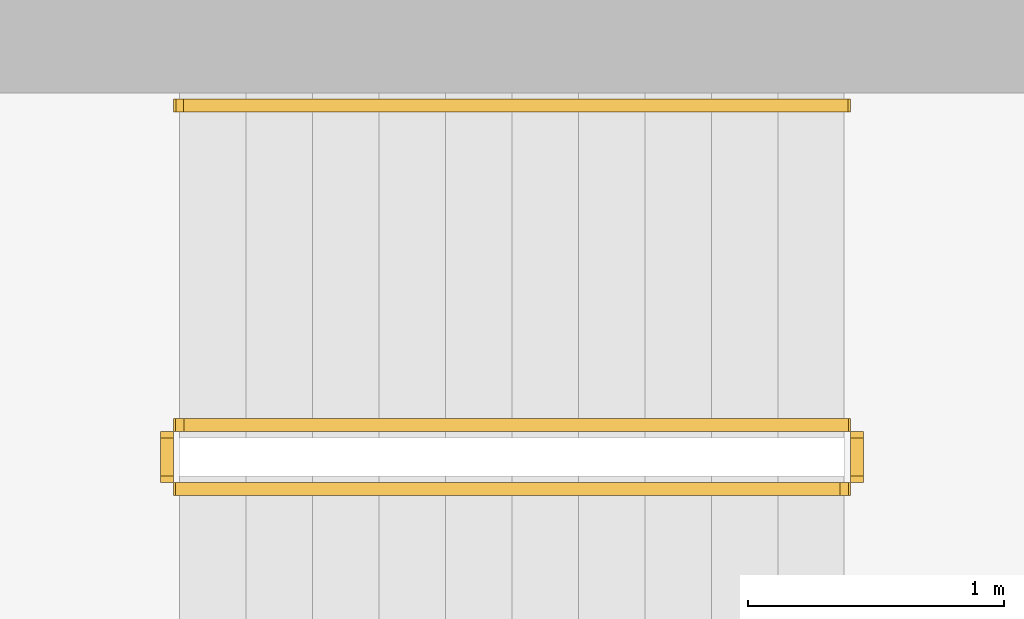
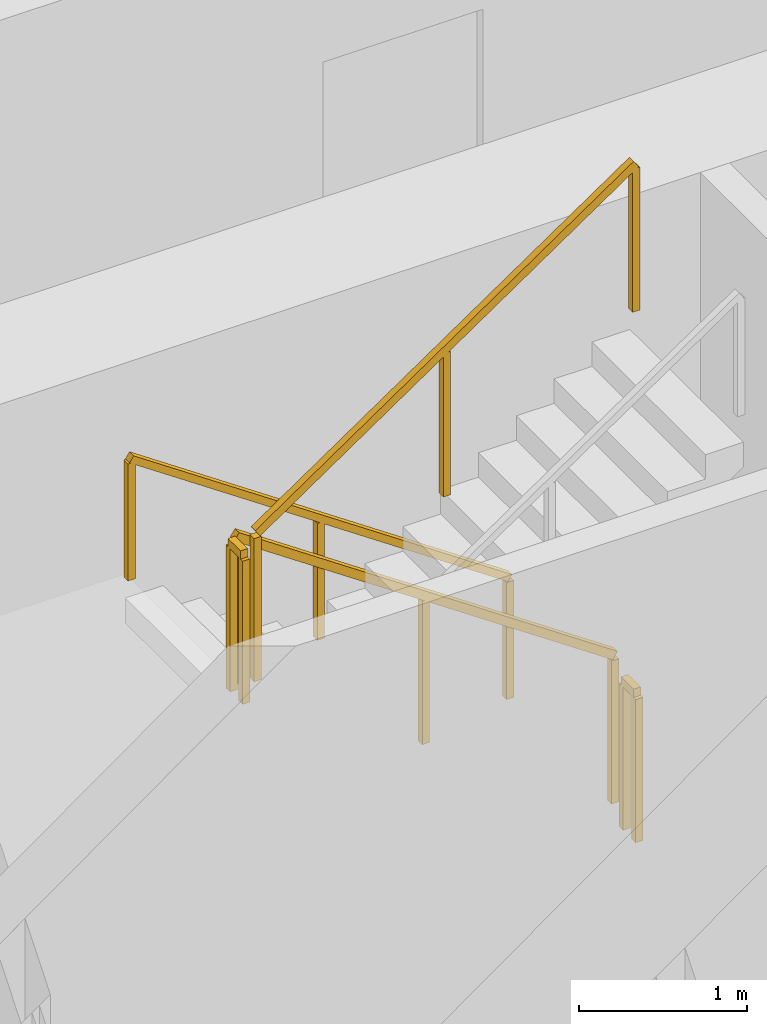
# One storey, part 15 of 16: 5 railings.
"""IFC4 building model written with IfcOpenShell, lengths in metres."""

from ifc_helpers import new_model, si_unit, direction, frame, origin, origin_2d, place, context, subcontext, project, spatial, rectangle, extrude, material, type_object, element, save


model = new_model("IFC4")

# Units and contexts
model_context = context("Model", 3, precision=1e-05, world=origin(), true_north=direction((0.0, 1.0)))
body_context = subcontext(model_context, "Body", "Model", "MODEL_VIEW")
ifc_project = project(units=[si_unit("LENGTHUNIT", "METRE"), si_unit("AREAUNIT", "SQUARE_METRE"), si_unit("VOLUMEUNIT", "CUBIC_METRE"), si_unit("PLANEANGLEUNIT", "RADIAN"), si_unit("MASSUNIT", "GRAM", prefix="KILO")], contexts=[model_context])

# Site, building, storey
site_placement = place(None, origin())
site = spatial("IfcSite", under=ifc_project, at=site_placement, CompositionType="ELEMENT")
building_placement = place(site_placement, origin())
building = spatial("IfcBuilding", under=site, at=building_placement, Name="Khepri Terraces", CompositionType="ELEMENT")
storey_placement = place(building_placement, frame((0.0, 0.0, 79.199951171875)))
storey = spatial("IfcBuildingStorey", under=building, at=storey_placement, Name="L18", CompositionType="ELEMENT", Elevation=79.199951171875)

# Railings
ifc_material = material(Name="Stainless steel 316", Category="steel")
railing_type_1 = type_object("IfcRailingType", Name="RL-CORE-GUARD", PredefinedType="GUARDRAIL", material=ifc_material)
railing_1_placement = place(storey_placement, frame((-0.25, 8.800048828125, 0.17724609375)))
element("IfcRailing", 1, at=railing_1_placement, inside=storey, type_object=railing_type_1, Name="L18 ST-3 stair guard 1", PredefinedType="GUARDRAIL", context=body_context, shape_type="SweptSolid", body=[
    extrude(rectangle(XDim=0.050048828125, YDim=0.06005859375, at=origin_2d()), frame((0.0, 0.0, 1.070068359375), z_axis=(-0.826240473404, 0.0, 0.563317565952), x_axis=(0.0, -1.0, 0.0)), (0.0, 0.0, 1.0), 3.14697265625),
    extrude(rectangle(XDim=0.050048828125, YDim=0.050048828125, at=origin_2d()), origin(), (0.0, 0.0, 1.0), 1.0400390625),
    extrude(rectangle(XDim=0.050048828125, YDim=0.050048828125, at=origin_2d()), frame((-1.300048828125, 0.0, 0.88623046875)), (0.0, 0.0, 1.0), 1.0400390625),
    extrude(rectangle(XDim=0.050048828125, YDim=0.050048828125, at=origin_2d()), frame((-2.60009765625, 0.0, 1.772705078125)), (0.0, 0.0, 1.0), 1.0400390625),
])
railing_2_placement = place(storey_placement, frame((-2.89990234375, 8.75, 1.949951171875)))
element("IfcRailing", 2, at=railing_2_placement, inside=storey, type_object=railing_type_1, Name="L18 ST-3 stair guard 2", PredefinedType="GUARDRAIL", context=body_context, shape_type="SweptSolid", body=[
    extrude(rectangle(XDim=0.050048828125, YDim=0.06005859375, at=origin_2d()), frame((0.0, 0.0, 1.070068359375), z_axis=(0.0, -1.0, 0.0), x_axis=(1.0, 0.0, 0.0)), (0.0, 0.0, 1.0), 0.14990234375),
    extrude(rectangle(XDim=0.050048828125, YDim=0.050048828125, at=origin_2d()), origin(), (0.0, 0.0, 1.0), 1.0400390625),
    extrude(rectangle(XDim=0.050048828125, YDim=0.050048828125, at=origin_2d()), frame((0.0, -0.14990234375, 0.0)), (0.0, 0.0, 1.0), 1.0400390625),
])
railing_3_placement = place(storey_placement, frame((-2.85009765625, 8.550048828125, 2.12744140625)))
element("IfcRailing", 3, at=railing_3_placement, inside=storey, type_object=railing_type_1, Name="L18 ST-3 stair guard 3", PredefinedType="GUARDRAIL", context=body_context, shape_type="SweptSolid", body=[
    extrude(rectangle(XDim=0.050048828125, YDim=0.06005859375, at=origin_2d()), frame((0.0, 0.0, 1.070068359375), z_axis=(0.826240473404, 0.0, 0.563317565952), x_axis=(0.0, 1.0, 0.0)), (0.0, 0.0, 1.0), 3.14697265625),
    extrude(rectangle(XDim=0.050048828125, YDim=0.050048828125, at=origin_2d()), origin(), (0.0, 0.0, 1.0), 1.0400390625),
    extrude(rectangle(XDim=0.050048828125, YDim=0.050048828125, at=origin_2d()), frame((1.300048828125, 0.0, 0.88623046875)), (0.0, 0.0, 1.0), 1.0400390625),
    extrude(rectangle(XDim=0.050048828125, YDim=0.050048828125, at=origin_2d()), frame((2.60009765625, 0.0, 1.772705078125)), (0.0, 0.0, 1.0), 1.0400390625),
])
railing_4_placement = place(storey_placement, frame((-0.199951171875, 8.75, 0.0)))
element("IfcRailing", 4, at=railing_4_placement, inside=storey, type_object=railing_type_1, Name="L18 ST-3 stair guard 4", PredefinedType="GUARDRAIL", context=body_context, shape_type="SweptSolid", body=[
    extrude(rectangle(XDim=0.050048828125, YDim=0.06005859375, at=origin_2d()), frame((0.0, 0.0, 1.070068359375), z_axis=(0.0, -1.0, 0.0), x_axis=(1.0, 0.0, 0.0)), (0.0, 0.0, 1.0), 0.14990234375),
    extrude(rectangle(XDim=0.050048828125, YDim=0.050048828125, at=origin_2d()), origin(), (0.0, 0.0, 1.0), 1.0400390625),
    extrude(rectangle(XDim=0.050048828125, YDim=0.050048828125, at=origin_2d()), frame((0.0, -0.14990234375, 0.0)), (0.0, 0.0, 1.0), 1.0400390625),
])
railing_type_2 = type_object("IfcRailingType", Name="RL-CORE-HANDRAIL", PredefinedType="HANDRAIL", material=ifc_material)
railing_5_placement = place(storey_placement, frame((-0.25, 10.050048828125, 0.17724609375)))
element("IfcRailing", 5, at=railing_5_placement, inside=storey, type_object=railing_type_2, Name="L18 ST-3 stair handrail 1", PredefinedType="HANDRAIL", context=body_context, shape_type="SweptSolid", body=[
    extrude(rectangle(XDim=0.050048828125, YDim=0.050048828125, at=origin_2d()), frame((0.0, 0.0, 0.875), z_axis=(-0.826240473404, 0.0, 0.563317565952), x_axis=(0.0, -1.0, 0.0)), (0.0, 0.0, 1.0), 3.14697265625),
    extrude(rectangle(XDim=0.050048828125, YDim=0.050048828125, at=origin_2d()), origin(), (0.0, 0.0, 1.0), 0.849853515625),
    extrude(rectangle(XDim=0.050048828125, YDim=0.050048828125, at=origin_2d()), frame((-1.300048828125, 0.0, 0.88623046875)), (0.0, 0.0, 1.0), 0.849853515625),
    extrude(rectangle(XDim=0.050048828125, YDim=0.050048828125, at=origin_2d()), frame((-2.60009765625, 0.0, 1.772705078125)), (0.0, 0.0, 1.0), 0.849853515625),
])

save(model, "model.ifc")
